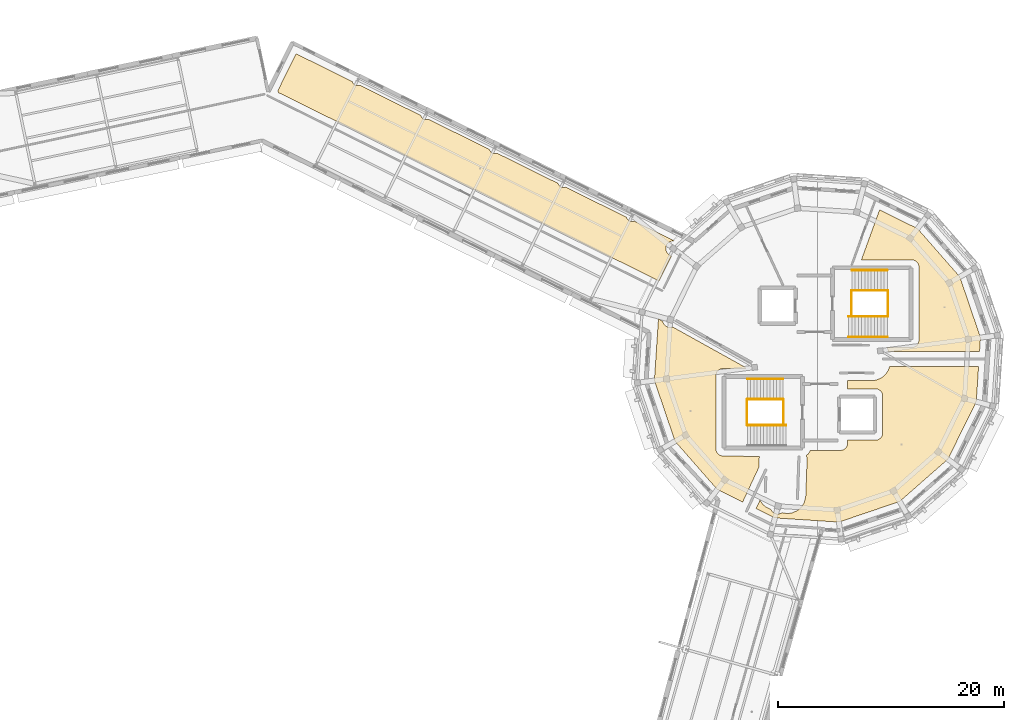
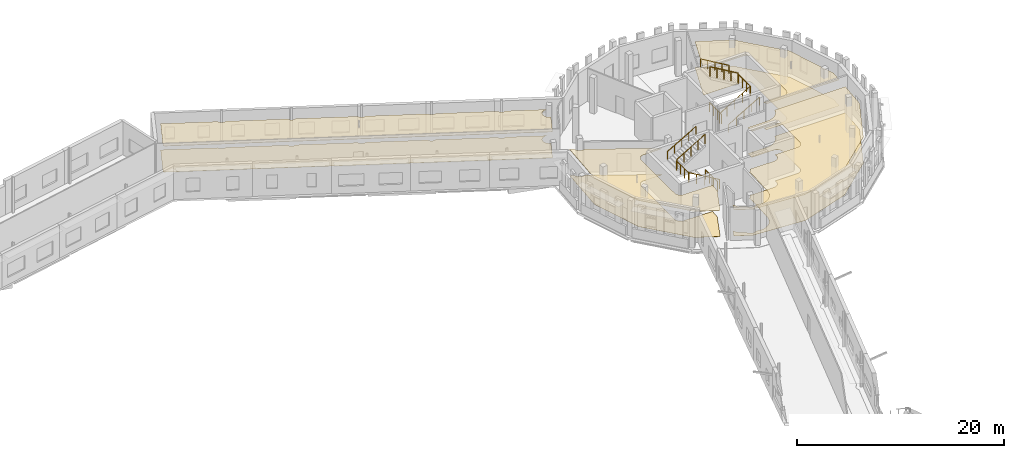
# One storey, part 90 of 90: 11 railings, 8 coverings.
"""IFC4 building model written with IfcOpenShell, lengths in metres."""

import ifcopenshell
import ifcopenshell.guid

model = None  # the IFC model being written
_history = None  # IfcOwnerHistory: only IFC2X3 demands one
_inside = {}  # id of a spatial element -> (the spatial element, [elements in it])
_under = {}  # id of a project, library or spatial element -> (it, [spatial elements below it])
_declared = {}  # id of a project -> (the project, [libraries it declares])
_typed = {}  # id of a type object -> (the type object, [elements of that type])
_made_of = {}  # id of a material, layer set ... -> (it, [elements and type objects made of it])


def new_model(schema):
    """Start an empty IFC model of exactly this schema.

    Asked for "IFC4X3", IfcOpenShell would pick the latest addendum, in which some entities
    have other attributes; the version numbers below select the first issue.
    IFC2X3 requires an IfcOwnerHistory on every rooted entity: one is made here for all.
    """
    global model, _history
    if schema == "IFC4X3":
        model = ifcopenshell.file(schema_version=(4, 3, 0, 0))
    else:
        model = ifcopenshell.file(schema=schema)
    _inside.clear()
    _under.clear()
    _declared.clear()
    _typed.clear()
    _made_of.clear()
    _history = None
    if model.schema == "IFC2X3":
        org = make("IfcOrganization", Name="unknown")
        user = make(
            "IfcPersonAndOrganization",
            ThePerson=make("IfcPerson", FamilyName="unknown"),
            TheOrganization=org,
        )
        app = make(
            "IfcApplication",
            ApplicationDeveloper=org,
            Version="unknown",
            ApplicationFullName="unknown",
            ApplicationIdentifier="unknown",
        )
        _history = make(
            "IfcOwnerHistory",
            OwningUser=user,
            OwningApplication=app,
            ChangeAction="ADDED",
            CreationDate=0,
        )
    return model


def make(cls, **values):
    """One entity of the class cls with the attributes given. An attribute that is None is left unset."""
    return model.create_entity(
        cls, **{name: value for name, value in values.items() if value is not None}
    )


def rooted(cls, **values):
    """An entity with a GlobalId (a new one), such as an element, a storey or a relation."""
    return make(cls, GlobalId=ifcopenshell.guid.new(), OwnerHistory=_history, **values)


def si_unit(unit_type, name, prefix=None):
    """IfcSIUnit, for example si_unit("LENGTHUNIT", "METRE", prefix="MILLI")."""
    return make("IfcSIUnit", UnitType=unit_type, Prefix=prefix, Name=name)


def assignment(units):
    """IfcUnitAssignment: the units of a project."""
    return None if units is None else make("IfcUnitAssignment", Units=units)


def point(xyz):
    """IfcCartesianPoint."""
    return None if xyz is None else make("IfcCartesianPoint", Coordinates=xyz)


def direction(xyz):
    """IfcDirection."""
    return None if xyz is None else make("IfcDirection", DirectionRatios=xyz)


def frame(location, z_axis=None, x_axis=None):
    """IfcAxis2Placement3D, a coordinate frame: its origin and axes. An axis left out is left unset."""
    return make(
        "IfcAxis2Placement3D",
        Location=point(location),
        Axis=direction(z_axis),
        RefDirection=direction(x_axis),
    )


def frame_2d(location, x_axis=None):
    """IfcAxis2Placement2D, a coordinate frame in the plane: its origin and x axis."""
    return make(
        "IfcAxis2Placement2D", Location=point(location), RefDirection=direction(x_axis)
    )


def origin():
    """The frame at (0, 0, 0) with its axes left unset."""
    return frame((0.0, 0.0, 0.0))


def origin_2d():
    """The frame at (0, 0) in the plane with its x axis left unset."""
    return frame_2d((0.0, 0.0))


def place(relative_to, where):
    """IfcLocalPlacement: puts the frame where relative to a parent placement (None: the world)."""
    return make(
        "IfcLocalPlacement", PlacementRelTo=relative_to, RelativePlacement=where
    )


def context(
    kind, dimensions, precision=None, world=None, true_north=None, identifier=None
):
    """IfcGeometricRepresentationContext, for example the 3D "Model" context."""
    return make(
        "IfcGeometricRepresentationContext",
        ContextIdentifier=identifier,
        ContextType=kind,
        CoordinateSpaceDimension=dimensions,
        Precision=precision,
        WorldCoordinateSystem=world,
        TrueNorth=true_north,
    )


def subcontext(parent, identifier, kind, view, scale=None):
    """IfcGeometricRepresentationSubContext, for example "Body" below "Model"."""
    return make(
        "IfcGeometricRepresentationSubContext",
        ContextIdentifier=identifier,
        ContextType=kind,
        ParentContext=parent,
        TargetScale=scale,
        TargetView=view,
    )


def project(units=None, contexts=None):
    """IfcProject with its units and contexts."""
    return rooted(
        "IfcProject",
        Name="project",
        RepresentationContexts=contexts,
        UnitsInContext=assignment(units),
    )


def spatial(cls, under=None, at=None, **own):
    """A site, building, storey or space (cls), placed at a placement, below another one or the project."""
    s = rooted(cls, ObjectPlacement=at, **own)
    if under is not None:
        _under.setdefault(under.id(), (under, []))[1].append(s)
    return s


def polyline(points):
    """IfcPolyline through the points."""
    return make("IfcPolyline", Points=[point(p) for p in points])


def profile(cls, at=None, kind="AREA", **sizes):
    """A parametric profile (cls). Its sizes go by their IFC names, for example OverallWidth=200.0."""
    return make(cls, ProfileType=kind, Position=at, **sizes)


def circle(**sizes):
    """IfcCircleProfileDef."""
    return profile("IfcCircleProfileDef", **sizes)


def outline(outer, holes=None, kind="AREA"):
    """IfcArbitraryClosedProfileDef: a profile drawn as a closed curve; with holes, ...WithVoids."""
    if holes is None:
        return make("IfcArbitraryClosedProfileDef", ProfileType=kind, OuterCurve=outer)
    return make(
        "IfcArbitraryProfileDefWithVoids",
        ProfileType=kind,
        OuterCurve=outer,
        InnerCurves=holes,
    )


def extrude(swept, where, along, depth):
    """IfcExtrudedAreaSolid: the profile swept, set in the frame where, extruded along a direction by depth."""
    return make(
        "IfcExtrudedAreaSolid",
        SweptArea=swept,
        Position=where,
        ExtrudedDirection=direction(along),
        Depth=depth,
    )


def shape(context_of_items, identifier, shape_type, items):
    """IfcShapeRepresentation: the items that make up one representation, for example the "Body"."""
    return make(
        "IfcShapeRepresentation",
        ContextOfItems=context_of_items,
        RepresentationIdentifier=identifier,
        RepresentationType=shape_type,
        Items=items,
    )


def material(Name=None, Category=None):
    """IfcMaterial."""
    return make("IfcMaterial", Name=Name, Category=Category)


def layer(
    of_material, thickness, ventilated=None, Name=None, Category=None, Priority=None
):
    """IfcMaterialLayer: one layer of a wall or slab, of a material (None: an air gap)."""
    return make(
        "IfcMaterialLayer",
        Material=of_material,
        LayerThickness=thickness,
        IsVentilated=ventilated,
        Name=Name,
        Category=Category,
        Priority=Priority,
    )


def layer_set(layers, Name=None):
    """IfcMaterialLayerSet."""
    return make("IfcMaterialLayerSet", MaterialLayers=layers, LayerSetName=Name)


def made_of(thing, what):
    """Note that an element or type object is made of a material, layer set ...; save() writes the relation."""
    if what is not None:
        _made_of.setdefault(what.id(), (what, []))[1].append(thing)
    return thing


def type_object(cls, material=None, **own):
    """A type object (cls), such as IfcWallType, which elements share."""
    return made_of(rooted(cls, **own), material)


def element(
    cls,
    number,
    at=None,
    inside=None,
    cuts=None,
    type_object=None,
    material=None,
    context=None,
    identifier="Body",
    shape_type=None,
    held_by="IfcProductDefinitionShape",
    body=None,
    shapes=None,
    **own,
):
    """One element of the class cls, such as IfcWall. Its Tag is "e" and its number.

    at: its placement. inside: the storey or other place that contains it. cuts: it is an
    opening in that element (IfcRelVoidsElement). A single representation is given by context,
    identifier, shape_type and body (its items); several are given by shapes. held_by: the class
    of the entity that holds the representations. save() writes the other relations.
    """
    e = rooted(cls, Tag="e%d" % number, ObjectPlacement=at, **own)
    if body is not None:
        shapes = [shape(context, identifier, shape_type, body)]
    if shapes is not None:
        e.Representation = make(held_by, Representations=shapes)
    if inside is not None:
        _inside.setdefault(inside.id(), (inside, []))[1].append(e)
    if cuts is not None:
        rooted(
            "IfcRelVoidsElement", RelatingBuildingElement=cuts, RelatedOpeningElement=e
        )
    if type_object is not None:
        _typed.setdefault(type_object.id(), (type_object, []))[1].append(e)
    return made_of(e, material)


def aggregate(whole, parts):
    """IfcRelAggregates: a whole, such as a stair, and the parts it consists of."""
    return rooted("IfcRelAggregates", RelatingObject=whole, RelatedObjects=parts)


def save(model, path):
    """Write the relations noted so far, then the file.

    IfcRelAggregates (storeys below a building ...), IfcRelContainedInSpatialStructure (elements
    in a storey), IfcRelDefinesByType, IfcRelAssociatesMaterial and IfcRelDeclares: one each for
    every whole, place, type object, material and project.
    """
    for whole, parts in _under.values():
        aggregate(whole, parts)
    for where, things in _inside.values():
        rooted(
            "IfcRelContainedInSpatialStructure",
            RelatedElements=things,
            RelatingStructure=where,
        )
    for kind, things in _typed.values():
        rooted("IfcRelDefinesByType", RelatedObjects=things, RelatingType=kind)
    for what, things in _made_of.values():
        rooted("IfcRelAssociatesMaterial", RelatedObjects=things, RelatingMaterial=what)
    for by, libraries in _declared.values():
        rooted("IfcRelDeclares", RelatingContext=by, RelatedDefinitions=libraries)
    model.write(path)


model = new_model("IFC4")

# Units and contexts
model_context = context("Model", 3, precision=1e-05, world=origin(), true_north=direction((0.0, 1.0)))
body_context = subcontext(model_context, "Body", "Model", "MODEL_VIEW")
ifc_project = project(units=[si_unit("LENGTHUNIT", "METRE"), si_unit("AREAUNIT", "SQUARE_METRE"), si_unit("VOLUMEUNIT", "CUBIC_METRE"), si_unit("PLANEANGLEUNIT", "RADIAN"), si_unit("MASSUNIT", "GRAM", prefix="KILO")], contexts=[model_context])

# Site, building, storey
site_placement = place(None, origin())
site = spatial("IfcSite", under=ifc_project, at=site_placement, CompositionType="ELEMENT")
building_placement = place(site_placement, origin())
building = spatial("IfcBuilding", under=site, at=building_placement, Name="Wrenclough Park School", CompositionType="ELEMENT")
storey_placement = place(building_placement, frame((0.0, 0.0, 8.39990234375)))
storey = spatial("IfcBuildingStorey", under=building, at=storey_placement, Name="L02", CompositionType="ELEMENT", Elevation=8.39990234375)

# Coverings
ifc_material_1 = material(Name="Class A mineral-fibre acoustic ceiling raft", Category="gypsum")
ifc_layer_1 = layer(ifc_material_1, 0.044921875)
ifc_layer_set_1 = layer_set([ifc_layer_1], Name="Class A mineral-fibre acoustic ceiling raft")
covering_type_1 = type_object("IfcCoveringType", Name="INT-COV-CEIL", PredefinedType="CEILING", material=ifc_layer_set_1)
covering_1_placement = place(storey_placement, frame((0.0, 0.0, 3.05517578125)))
element("IfcCovering", 1, at=covering_1_placement, inside=storey, type_object=covering_type_1, Name="Senior Biology Science Laboratory acoustic ceiling raft", PredefinedType="CEILING", context=body_context, shape_type="SweptSolid", body=[
    extrude(outline(polyline([(160.830322265625, 96.829833984375), (160.447509765625, 97.0419921875), (160.091064453125, 91.60302734375), (161.913818359375, 86.2333984375), (165.652587890625, 81.969970703125), (167.8916015625, 80.865966796875), (169.318603515625, 83.926513671875), (169.351318359375, 84.711181640625), (169.35888671875, 84.787353515625), (169.384765625, 84.894775390625), (166.109619140625, 84.933837890625), (166.047119140625, 84.943603515625), (165.92626953125, 84.9814453125), (165.815185546875, 85.0419921875), (165.718017578125, 85.122802734375), (165.63818359375, 85.22119140625), (165.605712890625, 85.275634765625), (165.5576171875, 85.392578125), (165.533203125, 85.5166015625), (165.530029296875, 85.580078125), (165.530029296875, 92.02001953125), (165.54248046875, 92.146728515625), (165.57958984375, 92.268798828125), (165.606689453125, 92.326416015625), (165.677490234375, 92.432373046875), (165.720458984375, 92.4794921875), (165.81884765625, 92.560546875), (165.931396484375, 92.62060546875), (166.05322265625, 92.657470703125), (166.179931640625, 92.669921875), (168.22509765625, 92.669921875), (168.037109375, 92.82080078125), (161.731689453125, 96.32373046875), (161.6435546875, 96.29931640625), (161.576171875, 96.289306640625), (161.43994140625, 96.289306640625), (161.306396484375, 96.31591796875), (161.180419921875, 96.3681640625), (161.067138671875, 96.44384765625), (160.970703125, 96.5400390625), (160.89501953125, 96.6533203125), (160.865966796875, 96.715087890625), (160.830322265625, 96.829833984375)])), origin(), (0.0, 0.0, 1.0), 0.044921875),
])
covering_2_placement = place(storey_placement, frame((0.0, 0.0, 3.05517578125)))
element("IfcCovering", 2, at=covering_2_placement, inside=storey, type_object=covering_type_1, Name="Biochemistry Science Laboratory acoustic ceiling raft", PredefinedType="CEILING", context=body_context, shape_type="SweptSolid", body=[
    extrude(outline(polyline([(169.421875, 81.0244140625), (169.07568359375, 80.281982421875), (170.738525390625, 79.4619140625), (176.39697265625, 79.091064453125), (181.7666015625, 80.913818359375), (186.030029296875, 84.652587890625), (188.5380859375, 89.738525390625), (188.7421875, 92.85009765625), (180.880615234375, 92.85009765625), (180.779296875, 92.56103515625), (180.748779296875, 92.48974609375), (180.603759765625, 92.2607421875), (180.520263671875, 92.158203125), (180.323486328125, 91.96630859375), (180.10791015625, 91.820556640625), (180.041015625, 91.781982421875), (179.969970703125, 91.751708984375), (179.710205078125, 91.65869140625), (179.639404296875, 91.6376953125), (179.56689453125, 91.625), (179.493408203125, 91.62060546875), (177.16259765625, 91.612060546875), (177.169921875, 91.52001953125), (177.169921875, 90.8701171875), (179.68359375, 90.866943359375), (179.80859375, 90.842041015625), (179.86865234375, 90.820556640625), (179.981201171875, 90.760498046875), (180.07958984375, 90.6796875), (180.160400390625, 90.5810546875), (180.193115234375, 90.5263671875), (180.241943359375, 90.40869140625), (180.257568359375, 90.3466796875), (180.27001953125, 90.219970703125), (180.27001953125, 86.97998046875), (180.257568359375, 86.853271484375), (180.241943359375, 86.791259765625), (180.193115234375, 86.673583984375), (180.160400390625, 86.618896484375), (180.07958984375, 86.5205078125), (179.981201171875, 86.439453125), (179.86865234375, 86.37939453125), (179.80859375, 86.35791015625), (179.68359375, 86.3330078125), (177.169921875, 86.330078125), (177.1669921875, 86.016357421875), (177.14208984375, 85.891357421875), (177.09326171875, 85.773681640625), (177.0224609375, 85.66748046875), (176.9794921875, 85.620361328125), (176.881103515625, 85.53955078125), (176.768798828125, 85.4794921875), (176.646728515625, 85.4423828125), (176.52001953125, 85.429931640625), (173.851806640625, 85.429931640625), (173.820556640625, 85.331298828125), (173.793212890625, 85.273681640625), (173.722412109375, 85.16748046875), (173.63232421875, 85.077392578125), (173.517333984375, 85.00244140625), (173.559326171875, 84.8388671875), (173.582275390625, 84.498779296875), (173.468017578125, 81.43017578125), (173.45068359375, 81.303466796875), (173.340087890625, 80.857666015625), (173.311767578125, 80.791015625), (173.2763671875, 80.72802734375), (173.130126953125, 80.499267578125), (173.054931640625, 80.403076171875), (172.796142578125, 80.172119140625), (172.694580078125, 80.09912109375), (172.3212890625, 79.927490234375), (172.19921875, 79.89794921875), (171.916259765625, 79.85791015625), (171.843505859375, 79.851806640625), (171.770263671875, 79.853759765625), (171.3955078125, 79.92431640625), (171.284912109375, 79.865966796875), (171.220703125, 79.843017578125), (171.087158203125, 79.81640625), (170.950927734375, 79.81640625), (170.8173828125, 79.843017578125), (170.69140625, 79.89501953125), (170.578125, 79.970703125), (170.481689453125, 80.067138671875), (170.441162109375, 80.121826171875), (170.392822265625, 80.20849609375), (170.291259765625, 80.247802734375), (169.968994140625, 80.410400390625), (169.753173828125, 80.584716796875), (169.7119140625, 80.62255859375), (169.639892578125, 80.7080078125), (169.421875, 81.0244140625)])), origin(), (0.0, 0.0, 1.0), 0.044921875),
])
covering_3_placement = place(storey_placement, frame((0.0, 0.0, 3.05517578125)))
element("IfcCovering", 3, at=covering_3_placement, inside=storey, type_object=covering_type_1, Name="Sixth Form Classroom 2 acoustic ceiling raft", PredefinedType="CEILING", context=body_context, shape_type="SweptSolid", body=[
    extrude(outline(polyline([(182.820068359375, 94.530029296875), (180.65087890625, 94.530029296875), (180.693115234375, 94.425537109375), (180.708984375, 94.36181640625), (180.71875, 94.296630859375), (180.718994140625, 94.17041015625), (188.82861328125, 94.169921875), (188.908935546875, 95.39697265625), (187.086181640625, 100.7666015625), (183.347412109375, 105.030029296875), (179.99072265625, 106.685302734375), (178.3837890625, 102.27001953125), (182.8837890625, 102.266845703125), (183.0087890625, 102.241943359375), (183.068603515625, 102.220458984375), (183.18115234375, 102.160400390625), (183.279541015625, 102.07958984375), (183.322509765625, 102.032470703125), (183.393310546875, 101.926513671875), (183.42041015625, 101.86865234375), (183.45751953125, 101.746826171875), (183.469970703125, 101.6201171875), (183.466796875, 95.1162109375), (183.44189453125, 94.9912109375), (183.393310546875, 94.87353515625), (183.322509765625, 94.767578125), (183.232421875, 94.677490234375), (183.12646484375, 94.606689453125), (183.0087890625, 94.55810546875), (182.94677734375, 94.54248046875), (182.820068359375, 94.530029296875)])), origin(), (0.0, 0.0, 1.0), 0.044921875),
])
covering_4_placement = place(storey_placement, frame((0.0, 0.0, 3.05517578125)))
element("IfcCovering", 4, at=covering_4_placement, inside=storey, type_object=covering_type_1, Name="Sixth Form Tutorial Classroom L02 acoustic ceiling raft", PredefinedType="CEILING", context=body_context, shape_type="SweptSolid", body=[
    extrude(outline(polyline([(126.864501953125, 117.08837890625), (126.89208984375, 117.0361328125), (160.505859375, 100.402587890625), (161.601318359375, 102.62255859375), (161.510498046875, 102.652099609375), (161.394775390625, 102.7138671875), (161.293212890625, 102.797119140625), (161.2099609375, 102.898681640625), (161.14794921875, 103.0146484375), (161.10986328125, 103.140380859375), (161.096923828125, 103.27099609375), (161.10986328125, 103.401611328125), (161.14794921875, 103.52734375), (161.2099609375, 103.643310546875), (161.293212890625, 103.744873046875), (161.394775390625, 103.828125), (161.510498046875, 103.889892578125), (161.63623046875, 103.927978515625), (161.76708984375, 103.94091796875), (161.874755859375, 103.931396484375), (158.32177734375, 105.689697265625), (158.23291015625, 105.6630859375), (158.18212890625, 105.65576171875), (158.079833984375, 105.65576171875), (157.9794921875, 105.67578125), (157.885009765625, 105.71484375), (157.800048828125, 105.771484375), (157.7275390625, 105.843994140625), (157.6708984375, 105.928955078125), (157.62939453125, 106.0322265625), (152.259033203125, 108.689697265625), (152.169921875, 108.6630859375), (152.119140625, 108.65576171875), (152.016845703125, 108.65576171875), (151.91650390625, 108.67578125), (151.822021484375, 108.71484375), (151.737060546875, 108.771484375), (151.66455078125, 108.843994140625), (151.60791015625, 108.928955078125), (151.56640625, 109.03271484375), (146.19677734375, 111.689697265625), (146.10791015625, 111.6630859375), (146.05712890625, 111.65576171875), (145.954833984375, 111.65576171875), (145.8544921875, 111.67578125), (145.760009765625, 111.71484375), (145.675048828125, 111.771484375), (145.6025390625, 111.843994140625), (145.5458984375, 111.928955078125), (145.50439453125, 112.0322265625), (140.134033203125, 114.689697265625), (140.044921875, 114.6630859375), (139.994140625, 114.65576171875), (139.891845703125, 114.65576171875), (139.79150390625, 114.67578125), (139.697021484375, 114.71484375), (139.612060546875, 114.771484375), (139.53955078125, 114.843994140625), (139.48291015625, 114.928955078125), (139.44140625, 115.032470703125), (134.07177734375, 117.689697265625), (133.98291015625, 117.6630859375), (133.93212890625, 117.65576171875), (133.829833984375, 117.65576171875), (133.7294921875, 117.67578125), (133.635009765625, 117.71484375), (133.550048828125, 117.771484375), (133.4775390625, 117.843994140625), (133.4208984375, 117.928955078125), (133.37939453125, 118.0322265625), (128.425048828125, 120.48388671875), (126.79296875, 117.185791015625), (126.864501953125, 117.08837890625)])), origin(), (0.0, 0.0, 1.0), 0.044921875),
])
ifc_material_2 = material(Name="Acoustic natural linoleum school flooring", Category="wood")
ifc_layer_2 = layer(ifc_material_2, 0.014892578125)
ifc_layer_set_2 = layer_set([ifc_layer_2], Name="Acoustic natural linoleum school flooring")
covering_type_2 = type_object("IfcCoveringType", Name="INT-COV-FLOOR1", PredefinedType="FLOORING", material=ifc_layer_set_2)
covering_5_placement = place(storey_placement, origin())
element("IfcCovering", 5, at=covering_5_placement, inside=storey, type_object=covering_type_2, Name="Senior Biology Science Laboratory floor finish", PredefinedType="FLOORING", context=body_context, shape_type="SweptSolid", body=[
    extrude(outline(polyline([(160.830322265625, 96.829833984375), (160.447509765625, 97.0419921875), (160.091064453125, 91.60302734375), (161.913818359375, 86.2333984375), (165.652587890625, 81.969970703125), (167.8916015625, 80.865966796875), (169.318603515625, 83.926513671875), (169.351318359375, 84.711181640625), (169.35888671875, 84.787353515625), (169.384765625, 84.894775390625), (166.109619140625, 84.933837890625), (166.047119140625, 84.943603515625), (165.92626953125, 84.9814453125), (165.815185546875, 85.0419921875), (165.718017578125, 85.122802734375), (165.63818359375, 85.22119140625), (165.605712890625, 85.275634765625), (165.5576171875, 85.392578125), (165.533203125, 85.5166015625), (165.530029296875, 85.580078125), (165.530029296875, 92.02001953125), (165.54248046875, 92.146728515625), (165.57958984375, 92.268798828125), (165.606689453125, 92.326416015625), (165.677490234375, 92.432373046875), (165.720458984375, 92.4794921875), (165.81884765625, 92.560546875), (165.931396484375, 92.62060546875), (166.05322265625, 92.657470703125), (166.179931640625, 92.669921875), (168.22509765625, 92.669921875), (168.037109375, 92.82080078125), (161.731689453125, 96.32373046875), (161.6435546875, 96.29931640625), (161.576171875, 96.289306640625), (161.43994140625, 96.289306640625), (161.306396484375, 96.31591796875), (161.180419921875, 96.3681640625), (161.067138671875, 96.44384765625), (160.970703125, 96.5400390625), (160.89501953125, 96.6533203125), (160.865966796875, 96.715087890625), (160.830322265625, 96.829833984375)])), origin(), (0.0, 0.0, 1.0), 0.01513671875),
])
covering_6_placement = place(storey_placement, origin())
element("IfcCovering", 6, at=covering_6_placement, inside=storey, type_object=covering_type_2, Name="Biochemistry Science Laboratory floor finish", PredefinedType="FLOORING", context=body_context, shape_type="SweptSolid", body=[
    extrude(outline(polyline([(169.421875, 81.0244140625), (169.07568359375, 80.281982421875), (170.738525390625, 79.4619140625), (176.39697265625, 79.091064453125), (181.7666015625, 80.913818359375), (186.030029296875, 84.652587890625), (188.5380859375, 89.738525390625), (188.7421875, 92.85009765625), (180.880615234375, 92.85009765625), (180.779296875, 92.56103515625), (180.748779296875, 92.48974609375), (180.603759765625, 92.2607421875), (180.520263671875, 92.158203125), (180.323486328125, 91.96630859375), (180.10791015625, 91.820556640625), (180.041015625, 91.781982421875), (179.969970703125, 91.751708984375), (179.710205078125, 91.65869140625), (179.639404296875, 91.6376953125), (179.56689453125, 91.625), (179.493408203125, 91.62060546875), (177.16259765625, 91.612060546875), (177.169921875, 91.52001953125), (177.169921875, 90.8701171875), (179.68359375, 90.866943359375), (179.80859375, 90.842041015625), (179.86865234375, 90.820556640625), (179.981201171875, 90.760498046875), (180.07958984375, 90.6796875), (180.160400390625, 90.5810546875), (180.193115234375, 90.5263671875), (180.241943359375, 90.40869140625), (180.257568359375, 90.3466796875), (180.27001953125, 90.219970703125), (180.27001953125, 86.97998046875), (180.257568359375, 86.853271484375), (180.241943359375, 86.791259765625), (180.193115234375, 86.673583984375), (180.160400390625, 86.618896484375), (180.07958984375, 86.5205078125), (179.981201171875, 86.439453125), (179.86865234375, 86.37939453125), (179.80859375, 86.35791015625), (179.68359375, 86.3330078125), (177.169921875, 86.330078125), (177.1669921875, 86.016357421875), (177.14208984375, 85.891357421875), (177.09326171875, 85.773681640625), (177.0224609375, 85.66748046875), (176.9794921875, 85.620361328125), (176.881103515625, 85.53955078125), (176.768798828125, 85.4794921875), (176.646728515625, 85.4423828125), (176.52001953125, 85.429931640625), (173.851806640625, 85.429931640625), (173.820556640625, 85.331298828125), (173.793212890625, 85.273681640625), (173.722412109375, 85.16748046875), (173.63232421875, 85.077392578125), (173.517333984375, 85.00244140625), (173.559326171875, 84.8388671875), (173.582275390625, 84.498779296875), (173.468017578125, 81.43017578125), (173.45068359375, 81.303466796875), (173.340087890625, 80.857666015625), (173.311767578125, 80.791015625), (173.2763671875, 80.72802734375), (173.130126953125, 80.499267578125), (173.054931640625, 80.403076171875), (172.796142578125, 80.172119140625), (172.694580078125, 80.09912109375), (172.3212890625, 79.927490234375), (172.19921875, 79.89794921875), (171.916259765625, 79.85791015625), (171.843505859375, 79.851806640625), (171.770263671875, 79.853759765625), (171.3955078125, 79.92431640625), (171.284912109375, 79.865966796875), (171.220703125, 79.843017578125), (171.087158203125, 79.81640625), (170.950927734375, 79.81640625), (170.8173828125, 79.843017578125), (170.69140625, 79.89501953125), (170.578125, 79.970703125), (170.481689453125, 80.067138671875), (170.441162109375, 80.121826171875), (170.392822265625, 80.20849609375), (170.291259765625, 80.247802734375), (169.968994140625, 80.410400390625), (169.753173828125, 80.584716796875), (169.7119140625, 80.62255859375), (169.639892578125, 80.7080078125), (169.421875, 81.0244140625)])), origin(), (0.0, 0.0, 1.0), 0.01513671875),
])
covering_7_placement = place(storey_placement, origin())
element("IfcCovering", 7, at=covering_7_placement, inside=storey, type_object=covering_type_2, Name="Sixth Form Classroom 2 floor finish", PredefinedType="FLOORING", context=body_context, shape_type="SweptSolid", body=[
    extrude(outline(polyline([(182.820068359375, 94.530029296875), (180.65087890625, 94.530029296875), (180.693115234375, 94.425537109375), (180.708984375, 94.36181640625), (180.71875, 94.296630859375), (180.718994140625, 94.17041015625), (188.82861328125, 94.169921875), (188.908935546875, 95.39697265625), (187.086181640625, 100.7666015625), (183.347412109375, 105.030029296875), (179.99072265625, 106.685302734375), (178.3837890625, 102.27001953125), (182.8837890625, 102.266845703125), (183.0087890625, 102.241943359375), (183.068603515625, 102.220458984375), (183.18115234375, 102.160400390625), (183.279541015625, 102.07958984375), (183.322509765625, 102.032470703125), (183.393310546875, 101.926513671875), (183.42041015625, 101.86865234375), (183.45751953125, 101.746826171875), (183.469970703125, 101.6201171875), (183.466796875, 95.1162109375), (183.44189453125, 94.9912109375), (183.393310546875, 94.87353515625), (183.322509765625, 94.767578125), (183.232421875, 94.677490234375), (183.12646484375, 94.606689453125), (183.0087890625, 94.55810546875), (182.94677734375, 94.54248046875), (182.820068359375, 94.530029296875)])), origin(), (0.0, 0.0, 1.0), 0.01513671875),
])
covering_8_placement = place(storey_placement, origin())
element("IfcCovering", 8, at=covering_8_placement, inside=storey, type_object=covering_type_2, Name="Sixth Form Tutorial Classroom L02 floor finish", PredefinedType="FLOORING", context=body_context, shape_type="SweptSolid", body=[
    extrude(outline(polyline([(126.864501953125, 117.08837890625), (126.89208984375, 117.0361328125), (160.505859375, 100.402587890625), (161.601318359375, 102.62255859375), (161.510498046875, 102.652099609375), (161.394775390625, 102.7138671875), (161.293212890625, 102.797119140625), (161.2099609375, 102.898681640625), (161.14794921875, 103.0146484375), (161.10986328125, 103.140380859375), (161.096923828125, 103.27099609375), (161.10986328125, 103.401611328125), (161.14794921875, 103.52734375), (161.2099609375, 103.643310546875), (161.293212890625, 103.744873046875), (161.394775390625, 103.828125), (161.510498046875, 103.889892578125), (161.63623046875, 103.927978515625), (161.76708984375, 103.94091796875), (161.874755859375, 103.931396484375), (158.32177734375, 105.689697265625), (158.23291015625, 105.6630859375), (158.18212890625, 105.65576171875), (158.079833984375, 105.65576171875), (157.9794921875, 105.67578125), (157.885009765625, 105.71484375), (157.800048828125, 105.771484375), (157.7275390625, 105.843994140625), (157.6708984375, 105.928955078125), (157.62939453125, 106.0322265625), (152.259033203125, 108.689697265625), (152.169921875, 108.6630859375), (152.119140625, 108.65576171875), (152.016845703125, 108.65576171875), (151.91650390625, 108.67578125), (151.822021484375, 108.71484375), (151.737060546875, 108.771484375), (151.66455078125, 108.843994140625), (151.60791015625, 108.928955078125), (151.56640625, 109.03271484375), (146.19677734375, 111.689697265625), (146.10791015625, 111.6630859375), (146.05712890625, 111.65576171875), (145.954833984375, 111.65576171875), (145.8544921875, 111.67578125), (145.760009765625, 111.71484375), (145.675048828125, 111.771484375), (145.6025390625, 111.843994140625), (145.5458984375, 111.928955078125), (145.50439453125, 112.0322265625), (140.134033203125, 114.689697265625), (140.044921875, 114.6630859375), (139.994140625, 114.65576171875), (139.891845703125, 114.65576171875), (139.79150390625, 114.67578125), (139.697021484375, 114.71484375), (139.612060546875, 114.771484375), (139.53955078125, 114.843994140625), (139.48291015625, 114.928955078125), (139.44140625, 115.032470703125), (134.07177734375, 117.689697265625), (133.98291015625, 117.6630859375), (133.93212890625, 117.65576171875), (133.829833984375, 117.65576171875), (133.7294921875, 117.67578125), (133.635009765625, 117.71484375), (133.550048828125, 117.771484375), (133.4775390625, 117.843994140625), (133.4208984375, 117.928955078125), (133.37939453125, 118.0322265625), (128.425048828125, 120.48388671875), (126.79296875, 117.185791015625), (126.864501953125, 117.08837890625)])), origin(), (0.0, 0.0, 1.0), 0.01513671875),
])

# Railings
ifc_material_3 = material(Name="Powder-coated steel vertical-baluster stair and atrium guard", Category="steel")
railing_type_1 = type_object("IfcRailingType", Name="INT-RL-GD1120", PredefinedType="GUARDRAIL", material=ifc_material_3)
railing_1_placement = place(storey_placement, frame((171.4951171875, 87.64990234375, 0.0)))
element("IfcRailing", 9, at=railing_1_placement, inside=storey, type_object=railing_type_1, Name="ST-05 L02 well guard 1", PredefinedType="GUARDRAIL", context=body_context, shape_type="SweptSolid", body=[
    extrude(circle(Radius=0.02392578125, at=origin_2d()), frame((0.0, 0.0, 1.09619140625), z_axis=(0.0, 1.0, 0.0), x_axis=(-1.0, 0.0, 0.0)), (0.0, 0.0, 1.0), 2.300048828125),
    extrude(circle(Radius=0.02099609375, at=origin_2d()), origin(), (0.0, 0.0, 1.0), 1.072021484375),
    extrude(circle(Radius=0.02099609375, at=origin_2d()), frame((0.0, 0.7666015625, 0.0)), (0.0, 0.0, 1.0), 1.072021484375),
    extrude(circle(Radius=0.02099609375, at=origin_2d()), frame((0.0, 1.533447265625, 0.0)), (0.0, 0.0, 1.0), 1.072021484375),
    extrude(circle(Radius=0.02099609375, at=origin_2d()), frame((0.0, 2.300048828125, 0.0)), (0.0, 0.0, 1.0), 1.072021484375),
])
railing_2_placement = place(storey_placement, frame((171.739990234375, 87.64990234375, 0.168212890625)))
element("IfcRailing", 10, at=railing_2_placement, inside=storey, type_object=railing_type_1, Name="ST-05 L02 well guard 2", PredefinedType="GUARDRAIL", context=body_context, shape_type="SweptSolid", body=[
    extrude(circle(Radius=0.02392578125, at=origin_2d()), frame((0.0, 0.0, 1.09619140625), z_axis=(-0.861476970849, 0.0, 0.507796641084), x_axis=(0.0, -1.0, 0.0)), (0.0, 0.0, 1.0), 3.9697265625),
    extrude(circle(Radius=0.02099609375, at=origin_2d()), origin(), (0.0, 0.0, 1.0), 1.072021484375),
    extrude(circle(Radius=0.02099609375, at=origin_2d()), frame((-0.85498046875, 0.0, 0.50390625)), (0.0, 0.0, 1.0), 1.072021484375),
    extrude(circle(Radius=0.02099609375, at=origin_2d()), frame((-1.7099609375, 0.0, 1.0078125)), (0.0, 0.0, 1.0), 1.072021484375),
    extrude(circle(Radius=0.02099609375, at=origin_2d()), frame((-2.56494140625, 0.0, 1.511962890625)), (0.0, 0.0, 1.0), 1.072021484375),
    extrude(circle(Radius=0.02099609375, at=origin_2d()), frame((-3.419921875, 0.0, 2.015869140625)), (0.0, 0.0, 1.0), 1.072021484375),
])
railing_3_placement = place(storey_placement, frame((168.280029296875, 87.64990234375, 2.18408203125)))
element("IfcRailing", 11, at=railing_3_placement, inside=storey, type_object=railing_type_1, Name="ST-05 L02 well guard 3", PredefinedType="GUARDRAIL", context=body_context, shape_type="SweptSolid", body=[
    extrude(circle(Radius=0.02392578125, at=origin_2d()), frame((0.0, 0.0, 1.09619140625), z_axis=(0.0, 1.0, 0.0), x_axis=(-1.0, 0.0, 0.0)), (0.0, 0.0, 1.0), 2.300048828125),
    extrude(circle(Radius=0.02099609375, at=origin_2d()), origin(), (0.0, 0.0, 1.0), 1.072021484375),
    extrude(circle(Radius=0.02099609375, at=origin_2d()), frame((0.0, 0.7666015625, 0.0)), (0.0, 0.0, 1.0), 1.072021484375),
    extrude(circle(Radius=0.02099609375, at=origin_2d()), frame((0.0, 1.533447265625, 0.0)), (0.0, 0.0, 1.0), 1.072021484375),
    extrude(circle(Radius=0.02099609375, at=origin_2d()), frame((0.0, 2.300048828125, 0.0)), (0.0, 0.0, 1.0), 1.072021484375),
])
railing_4_placement = place(storey_placement, frame((168.320068359375, 89.949951171875, 2.35205078125)))
element("IfcRailing", 12, at=railing_4_placement, inside=storey, type_object=railing_type_1, Name="ST-05 L02 well guard 4", PredefinedType="GUARDRAIL", context=body_context, shape_type="SweptSolid", body=[
    extrude(circle(Radius=0.02392578125, at=origin_2d()), frame((0.0, 0.0, 1.09619140625), z_axis=(0.861450943231, 0.0, 0.507840794351), x_axis=(0.0, 1.0, 0.0)), (0.0, 0.0, 1.0), 3.63916015625),
    extrude(circle(Radius=0.02099609375, at=origin_2d()), origin(), (0.0, 0.0, 1.0), 1.072021484375),
    extrude(circle(Radius=0.02099609375, at=origin_2d()), frame((0.78369140625, 0.0, 0.4619140625)), (0.0, 0.0, 1.0), 1.072021484375),
    extrude(circle(Radius=0.02099609375, at=origin_2d()), frame((1.5673828125, 0.0, 0.924072265625)), (0.0, 0.0, 1.0), 1.072021484375),
    extrude(circle(Radius=0.02099609375, at=origin_2d()), frame((2.351318359375, 0.0, 1.38623046875)), (0.0, 0.0, 1.0), 1.072021484375),
    extrude(circle(Radius=0.02099609375, at=origin_2d()), frame((3.135009765625, 0.0, 1.84814453125)), (0.0, 0.0, 1.0), 1.072021484375),
])
railing_5_placement = place(storey_placement, frame((177.5048828125, 97.25, 0.0)))
element("IfcRailing", 13, at=railing_5_placement, inside=storey, type_object=railing_type_1, Name="ST-06 L02 well guard 1", PredefinedType="GUARDRAIL", context=body_context, shape_type="SweptSolid", body=[
    extrude(circle(Radius=0.02392578125, at=origin_2d()), frame((0.0, 0.0, 1.09619140625), z_axis=(0.0, 1.0, 0.0), x_axis=(-1.0, 0.0, 0.0)), (0.0, 0.0, 1.0), 2.300048828125),
    extrude(circle(Radius=0.02099609375, at=origin_2d()), origin(), (0.0, 0.0, 1.0), 1.072021484375),
    extrude(circle(Radius=0.02099609375, at=origin_2d()), frame((0.0, 0.7666015625, 0.0)), (0.0, 0.0, 1.0), 1.072021484375),
    extrude(circle(Radius=0.02099609375, at=origin_2d()), frame((0.0, 1.533447265625, 0.0)), (0.0, 0.0, 1.0), 1.072021484375),
    extrude(circle(Radius=0.02099609375, at=origin_2d()), frame((0.0, 2.300048828125, 0.0)), (0.0, 0.0, 1.0), 1.072021484375),
])
railing_6_placement = place(storey_placement, frame((177.260009765625, 97.25, 0.168212890625)))
element("IfcRailing", 14, at=railing_6_placement, inside=storey, type_object=railing_type_1, Name="ST-06 L02 well guard 2", PredefinedType="GUARDRAIL", context=body_context, shape_type="SweptSolid", body=[
    extrude(circle(Radius=0.02392578125, at=origin_2d()), frame((0.0, 0.0, 1.09619140625), z_axis=(0.861476970849, 0.0, 0.507796641084), x_axis=(0.0, 1.0, 0.0)), (0.0, 0.0, 1.0), 3.9697265625),
    extrude(circle(Radius=0.02099609375, at=origin_2d()), origin(), (0.0, 0.0, 1.0), 1.072021484375),
    extrude(circle(Radius=0.02099609375, at=origin_2d()), frame((0.85498046875, 0.0, 0.50390625)), (0.0, 0.0, 1.0), 1.072021484375),
    extrude(circle(Radius=0.02099609375, at=origin_2d()), frame((1.7099609375, 0.0, 1.0078125)), (0.0, 0.0, 1.0), 1.072021484375),
    extrude(circle(Radius=0.02099609375, at=origin_2d()), frame((2.56494140625, 0.0, 1.511962890625)), (0.0, 0.0, 1.0), 1.072021484375),
    extrude(circle(Radius=0.02099609375, at=origin_2d()), frame((3.419921875, 0.0, 2.015869140625)), (0.0, 0.0, 1.0), 1.072021484375),
])
railing_7_placement = place(storey_placement, frame((180.719970703125, 97.25, 2.18408203125)))
element("IfcRailing", 15, at=railing_7_placement, inside=storey, type_object=railing_type_1, Name="ST-06 L02 well guard 3", PredefinedType="GUARDRAIL", context=body_context, shape_type="SweptSolid", body=[
    extrude(circle(Radius=0.02392578125, at=origin_2d()), frame((0.0, 0.0, 1.09619140625), z_axis=(0.0, 1.0, 0.0), x_axis=(-1.0, 0.0, 0.0)), (0.0, 0.0, 1.0), 2.300048828125),
    extrude(circle(Radius=0.02099609375, at=origin_2d()), origin(), (0.0, 0.0, 1.0), 1.072021484375),
    extrude(circle(Radius=0.02099609375, at=origin_2d()), frame((0.0, 0.7666015625, 0.0)), (0.0, 0.0, 1.0), 1.072021484375),
    extrude(circle(Radius=0.02099609375, at=origin_2d()), frame((0.0, 1.533447265625, 0.0)), (0.0, 0.0, 1.0), 1.072021484375),
    extrude(circle(Radius=0.02099609375, at=origin_2d()), frame((0.0, 2.300048828125, 0.0)), (0.0, 0.0, 1.0), 1.072021484375),
])
railing_8_placement = place(storey_placement, frame((180.679931640625, 99.550048828125, 2.35205078125)))
element("IfcRailing", 16, at=railing_8_placement, inside=storey, type_object=railing_type_1, Name="ST-06 L02 well guard 4", PredefinedType="GUARDRAIL", context=body_context, shape_type="SweptSolid", body=[
    extrude(circle(Radius=0.02392578125, at=origin_2d()), frame((0.0, 0.0, 1.09619140625), z_axis=(-0.861450943231, 0.0, 0.507840794351), x_axis=(0.0, -1.0, 0.0)), (0.0, 0.0, 1.0), 3.63916015625),
    extrude(circle(Radius=0.02099609375, at=origin_2d()), origin(), (0.0, 0.0, 1.0), 1.072021484375),
    extrude(circle(Radius=0.02099609375, at=origin_2d()), frame((-0.78369140625, 0.0, 0.4619140625)), (0.0, 0.0, 1.0), 1.072021484375),
    extrude(circle(Radius=0.02099609375, at=origin_2d()), frame((-1.5673828125, 0.0, 0.924072265625)), (0.0, 0.0, 1.0), 1.072021484375),
    extrude(circle(Radius=0.02099609375, at=origin_2d()), frame((-2.351318359375, 0.0, 1.38623046875)), (0.0, 0.0, 1.0), 1.072021484375),
    extrude(circle(Radius=0.02099609375, at=origin_2d()), frame((-3.135009765625, 0.0, 1.84814453125)), (0.0, 0.0, 1.0), 1.072021484375),
])
ifc_material_4 = material(Name="Brushed stainless steel tubular handrail", Category="steel")
railing_type_2 = type_object("IfcRailingType", Name="INT-RL-HR950", PredefinedType="HANDRAIL", material=ifc_material_4)
railing_9_placement = place(storey_placement, frame((168.320068359375, 91.75, 2.35205078125)))
element("IfcRailing", 17, at=railing_9_placement, inside=storey, type_object=railing_type_2, Name="ST-05 L02 pitch handrail 2", PredefinedType="HANDRAIL", context=body_context, shape_type="SweptSolid", body=[
    extrude(circle(Radius=0.02392578125, at=origin_2d()), frame((0.0, 0.0, 0.92578125), z_axis=(0.861450943231, 0.0, 0.507840794351), x_axis=(0.0, 1.0, 0.0)), (0.0, 0.0, 1.0), 3.63916015625),
    extrude(circle(Radius=0.02099609375, at=origin_2d()), origin(), (0.0, 0.0, 1.0), 0.90185546875),
    extrude(circle(Radius=0.02099609375, at=origin_2d()), frame((0.78369140625, 0.0, 0.4619140625)), (0.0, 0.0, 1.0), 0.90185546875),
    extrude(circle(Radius=0.02099609375, at=origin_2d()), frame((1.5673828125, 0.0, 0.924072265625)), (0.0, 0.0, 1.0), 0.90185546875),
    extrude(circle(Radius=0.02099609375, at=origin_2d()), frame((2.351318359375, 0.0, 1.38623046875)), (0.0, 0.0, 1.0), 0.90185546875),
    extrude(circle(Radius=0.02099609375, at=origin_2d()), frame((3.135009765625, 0.0, 1.84814453125)), (0.0, 0.0, 1.0), 0.90185546875),
])
railing_10_placement = place(storey_placement, frame((177.260009765625, 95.449951171875, 0.168212890625)))
element("IfcRailing", 18, at=railing_10_placement, inside=storey, type_object=railing_type_2, Name="ST-06 L02 pitch handrail 1", PredefinedType="HANDRAIL", context=body_context, shape_type="SweptSolid", body=[
    extrude(circle(Radius=0.02392578125, at=origin_2d()), frame((0.0, 0.0, 0.92578125), z_axis=(0.861476970849, 0.0, 0.507796641084), x_axis=(0.0, 1.0, 0.0)), (0.0, 0.0, 1.0), 3.9697265625),
    extrude(circle(Radius=0.02099609375, at=origin_2d()), origin(), (0.0, 0.0, 1.0), 0.90185546875),
    extrude(circle(Radius=0.02099609375, at=origin_2d()), frame((0.85498046875, 0.0, 0.50390625)), (0.0, 0.0, 1.0), 0.90185546875),
    extrude(circle(Radius=0.02099609375, at=origin_2d()), frame((1.7099609375, 0.0, 1.0078125)), (0.0, 0.0, 1.0), 0.90185546875),
    extrude(circle(Radius=0.02099609375, at=origin_2d()), frame((2.56494140625, 0.0, 1.511962890625)), (0.0, 0.0, 1.0), 0.90185546875),
    extrude(circle(Radius=0.02099609375, at=origin_2d()), frame((3.419921875, 0.0, 2.015869140625)), (0.0, 0.0, 1.0), 0.90185546875),
])
railing_11_placement = place(storey_placement, frame((180.679931640625, 101.35009765625, 2.35205078125)))
element("IfcRailing", 19, at=railing_11_placement, inside=storey, type_object=railing_type_2, Name="ST-06 L02 pitch handrail 2", PredefinedType="HANDRAIL", context=body_context, shape_type="SweptSolid", body=[
    extrude(circle(Radius=0.02392578125, at=origin_2d()), frame((0.0, 0.0, 0.92578125), z_axis=(-0.861450943231, 0.0, 0.507840794351), x_axis=(0.0, -1.0, 0.0)), (0.0, 0.0, 1.0), 3.63916015625),
    extrude(circle(Radius=0.02099609375, at=origin_2d()), origin(), (0.0, 0.0, 1.0), 0.90185546875),
    extrude(circle(Radius=0.02099609375, at=origin_2d()), frame((-0.78369140625, 0.0, 0.4619140625)), (0.0, 0.0, 1.0), 0.90185546875),
    extrude(circle(Radius=0.02099609375, at=origin_2d()), frame((-1.5673828125, 0.0, 0.924072265625)), (0.0, 0.0, 1.0), 0.90185546875),
    extrude(circle(Radius=0.02099609375, at=origin_2d()), frame((-2.351318359375, 0.0, 1.38623046875)), (0.0, 0.0, 1.0), 0.90185546875),
    extrude(circle(Radius=0.02099609375, at=origin_2d()), frame((-3.135009765625, 0.0, 1.84814453125)), (0.0, 0.0, 1.0), 0.90185546875),
])

save(model, "model.ifc")
